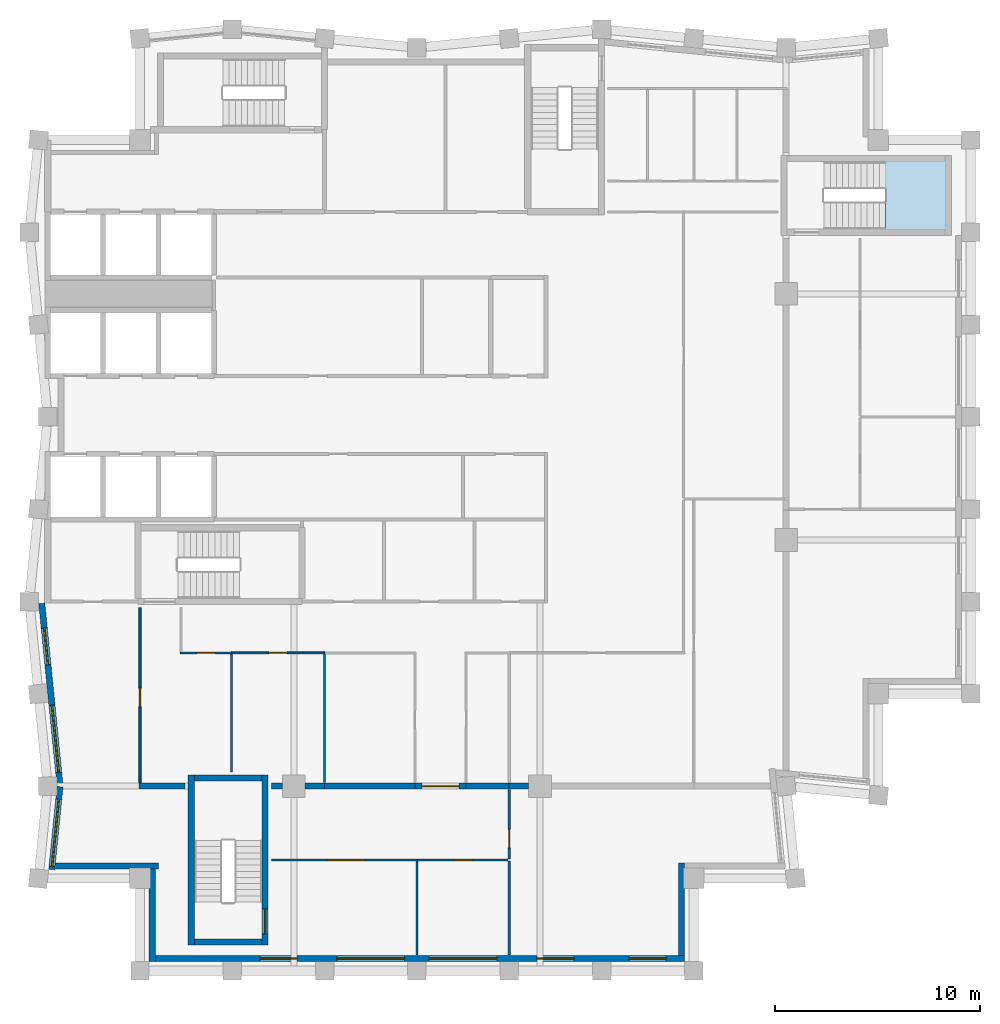
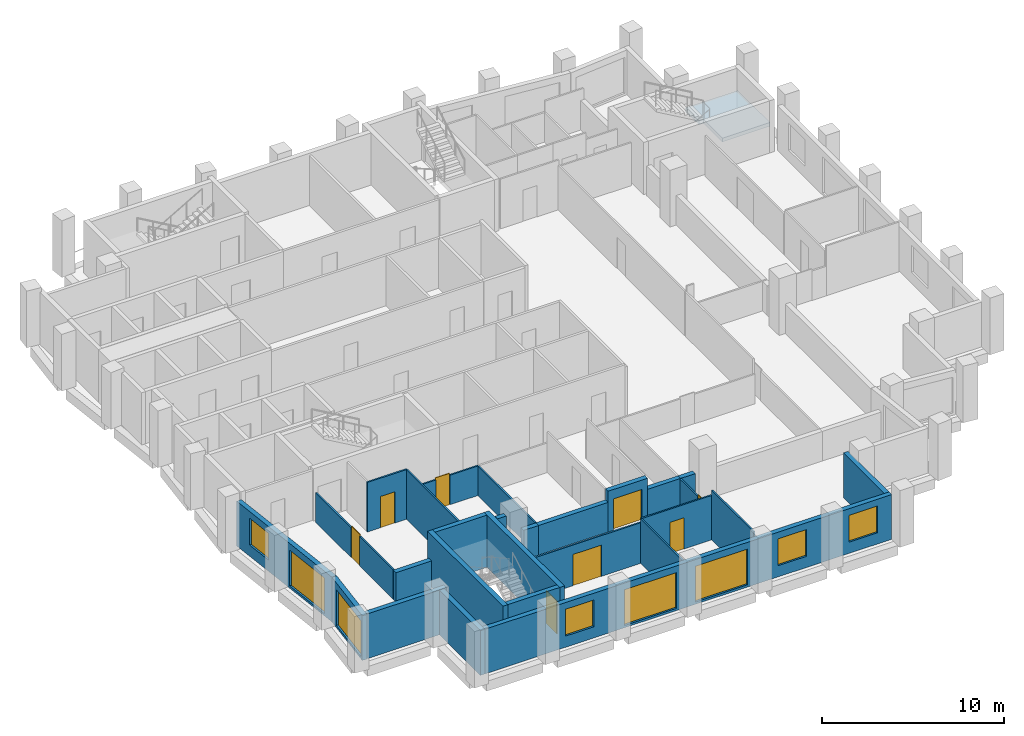
# One storey, part 2 of 7: 27 walls, 8 doors, 8 windows, 1 slab, 16 openings, 1 element without a shape of its own.
"""IFC4 building model written with IfcOpenShell, lengths in metres."""

import ifcopenshell
import ifcopenshell.guid

model = None  # the IFC model being written
_history = None  # IfcOwnerHistory: only IFC2X3 demands one
_inside = {}  # id of a spatial element -> (the spatial element, [elements in it])
_under = {}  # id of a project, library or spatial element -> (it, [spatial elements below it])
_declared = {}  # id of a project -> (the project, [libraries it declares])
_typed = {}  # id of a type object -> (the type object, [elements of that type])
_made_of = {}  # id of a material, layer set ... -> (it, [elements and type objects made of it])


def new_model(schema):
    """Start an empty IFC model of exactly this schema.

    Asked for "IFC4X3", IfcOpenShell would pick the latest addendum, in which some entities
    have other attributes; the version numbers below select the first issue.
    IFC2X3 requires an IfcOwnerHistory on every rooted entity: one is made here for all.
    """
    global model, _history
    if schema == "IFC4X3":
        model = ifcopenshell.file(schema_version=(4, 3, 0, 0))
    else:
        model = ifcopenshell.file(schema=schema)
    _inside.clear()
    _under.clear()
    _declared.clear()
    _typed.clear()
    _made_of.clear()
    _history = None
    if model.schema == "IFC2X3":
        org = make("IfcOrganization", Name="unknown")
        user = make(
            "IfcPersonAndOrganization",
            ThePerson=make("IfcPerson", FamilyName="unknown"),
            TheOrganization=org,
        )
        app = make(
            "IfcApplication",
            ApplicationDeveloper=org,
            Version="unknown",
            ApplicationFullName="unknown",
            ApplicationIdentifier="unknown",
        )
        _history = make(
            "IfcOwnerHistory",
            OwningUser=user,
            OwningApplication=app,
            ChangeAction="ADDED",
            CreationDate=0,
        )
    return model


def make(cls, **values):
    """One entity of the class cls with the attributes given. An attribute that is None is left unset."""
    return model.create_entity(
        cls, **{name: value for name, value in values.items() if value is not None}
    )


def rooted(cls, **values):
    """An entity with a GlobalId (a new one), such as an element, a storey or a relation."""
    return make(cls, GlobalId=ifcopenshell.guid.new(), OwnerHistory=_history, **values)


def si_unit(unit_type, name, prefix=None):
    """IfcSIUnit, for example si_unit("LENGTHUNIT", "METRE", prefix="MILLI")."""
    return make("IfcSIUnit", UnitType=unit_type, Prefix=prefix, Name=name)


def assignment(units):
    """IfcUnitAssignment: the units of a project."""
    return None if units is None else make("IfcUnitAssignment", Units=units)


def point(xyz):
    """IfcCartesianPoint."""
    return None if xyz is None else make("IfcCartesianPoint", Coordinates=xyz)


def direction(xyz):
    """IfcDirection."""
    return None if xyz is None else make("IfcDirection", DirectionRatios=xyz)


def frame(location, z_axis=None, x_axis=None):
    """IfcAxis2Placement3D, a coordinate frame: its origin and axes. An axis left out is left unset."""
    return make(
        "IfcAxis2Placement3D",
        Location=point(location),
        Axis=direction(z_axis),
        RefDirection=direction(x_axis),
    )


def frame_2d(location, x_axis=None):
    """IfcAxis2Placement2D, a coordinate frame in the plane: its origin and x axis."""
    return make(
        "IfcAxis2Placement2D", Location=point(location), RefDirection=direction(x_axis)
    )


def origin():
    """The frame at (0, 0, 0) with its axes left unset."""
    return frame((0.0, 0.0, 0.0))


def place(relative_to, where):
    """IfcLocalPlacement: puts the frame where relative to a parent placement (None: the world)."""
    return make(
        "IfcLocalPlacement", PlacementRelTo=relative_to, RelativePlacement=where
    )


def context(
    kind, dimensions, precision=None, world=None, true_north=None, identifier=None
):
    """IfcGeometricRepresentationContext, for example the 3D "Model" context."""
    return make(
        "IfcGeometricRepresentationContext",
        ContextIdentifier=identifier,
        ContextType=kind,
        CoordinateSpaceDimension=dimensions,
        Precision=precision,
        WorldCoordinateSystem=world,
        TrueNorth=true_north,
    )


def subcontext(parent, identifier, kind, view, scale=None):
    """IfcGeometricRepresentationSubContext, for example "Body" below "Model"."""
    return make(
        "IfcGeometricRepresentationSubContext",
        ContextIdentifier=identifier,
        ContextType=kind,
        ParentContext=parent,
        TargetScale=scale,
        TargetView=view,
    )


def project(units=None, contexts=None):
    """IfcProject with its units and contexts."""
    return rooted(
        "IfcProject",
        Name="project",
        RepresentationContexts=contexts,
        UnitsInContext=assignment(units),
    )


def spatial(cls, under=None, at=None, **own):
    """A site, building, storey or space (cls), placed at a placement, below another one or the project."""
    s = rooted(cls, ObjectPlacement=at, **own)
    if under is not None:
        _under.setdefault(under.id(), (under, []))[1].append(s)
    return s


def polyline(points):
    """IfcPolyline through the points."""
    return make("IfcPolyline", Points=[point(p) for p in points])


def profile(cls, at=None, kind="AREA", **sizes):
    """A parametric profile (cls). Its sizes go by their IFC names, for example OverallWidth=200.0."""
    return make(cls, ProfileType=kind, Position=at, **sizes)


def rectangle(**sizes):
    """IfcRectangleProfileDef."""
    return profile("IfcRectangleProfileDef", **sizes)


def outline(outer, holes=None, kind="AREA"):
    """IfcArbitraryClosedProfileDef: a profile drawn as a closed curve; with holes, ...WithVoids."""
    if holes is None:
        return make("IfcArbitraryClosedProfileDef", ProfileType=kind, OuterCurve=outer)
    return make(
        "IfcArbitraryProfileDefWithVoids",
        ProfileType=kind,
        OuterCurve=outer,
        InnerCurves=holes,
    )


def extrude(swept, where, along, depth):
    """IfcExtrudedAreaSolid: the profile swept, set in the frame where, extruded along a direction by depth."""
    return make(
        "IfcExtrudedAreaSolid",
        SweptArea=swept,
        Position=where,
        ExtrudedDirection=direction(along),
        Depth=depth,
    )


def shape(context_of_items, identifier, shape_type, items):
    """IfcShapeRepresentation: the items that make up one representation, for example the "Body"."""
    return make(
        "IfcShapeRepresentation",
        ContextOfItems=context_of_items,
        RepresentationIdentifier=identifier,
        RepresentationType=shape_type,
        Items=items,
    )


def material(Name=None, Category=None):
    """IfcMaterial."""
    return make("IfcMaterial", Name=Name, Category=Category)


def layer(
    of_material, thickness, ventilated=None, Name=None, Category=None, Priority=None
):
    """IfcMaterialLayer: one layer of a wall or slab, of a material (None: an air gap)."""
    return make(
        "IfcMaterialLayer",
        Material=of_material,
        LayerThickness=thickness,
        IsVentilated=ventilated,
        Name=Name,
        Category=Category,
        Priority=Priority,
    )


def layer_set(layers, Name=None):
    """IfcMaterialLayerSet."""
    return make("IfcMaterialLayerSet", MaterialLayers=layers, LayerSetName=Name)


def made_of(thing, what):
    """Note that an element or type object is made of a material, layer set ...; save() writes the relation."""
    if what is not None:
        _made_of.setdefault(what.id(), (what, []))[1].append(thing)
    return thing


def type_object(cls, material=None, **own):
    """A type object (cls), such as IfcWallType, which elements share."""
    return made_of(rooted(cls, **own), material)


def element(
    cls,
    number,
    at=None,
    inside=None,
    cuts=None,
    type_object=None,
    material=None,
    context=None,
    identifier="Body",
    shape_type=None,
    held_by="IfcProductDefinitionShape",
    body=None,
    shapes=None,
    **own,
):
    """One element of the class cls, such as IfcWall. Its Tag is "e" and its number.

    at: its placement. inside: the storey or other place that contains it. cuts: it is an
    opening in that element (IfcRelVoidsElement). A single representation is given by context,
    identifier, shape_type and body (its items); several are given by shapes. held_by: the class
    of the entity that holds the representations. save() writes the other relations.
    """
    e = rooted(cls, Tag="e%d" % number, ObjectPlacement=at, **own)
    if body is not None:
        shapes = [shape(context, identifier, shape_type, body)]
    if shapes is not None:
        e.Representation = make(held_by, Representations=shapes)
    if inside is not None:
        _inside.setdefault(inside.id(), (inside, []))[1].append(e)
    if cuts is not None:
        rooted(
            "IfcRelVoidsElement", RelatingBuildingElement=cuts, RelatedOpeningElement=e
        )
    if type_object is not None:
        _typed.setdefault(type_object.id(), (type_object, []))[1].append(e)
    return made_of(e, material)


def fill(opening, filler):
    """IfcRelFillsElement: the door or window that sits in an opening."""
    return rooted(
        "IfcRelFillsElement",
        RelatingOpeningElement=opening,
        RelatedBuildingElement=filler,
    )


def aggregate(whole, parts):
    """IfcRelAggregates: a whole, such as a stair, and the parts it consists of."""
    return rooted("IfcRelAggregates", RelatingObject=whole, RelatedObjects=parts)


def save(model, path):
    """Write the relations noted so far, then the file.

    IfcRelAggregates (storeys below a building ...), IfcRelContainedInSpatialStructure (elements
    in a storey), IfcRelDefinesByType, IfcRelAssociatesMaterial and IfcRelDeclares: one each for
    every whole, place, type object, material and project.
    """
    for whole, parts in _under.values():
        aggregate(whole, parts)
    for where, things in _inside.values():
        rooted(
            "IfcRelContainedInSpatialStructure",
            RelatedElements=things,
            RelatingStructure=where,
        )
    for kind, things in _typed.values():
        rooted("IfcRelDefinesByType", RelatedObjects=things, RelatingType=kind)
    for what, things in _made_of.values():
        rooted("IfcRelAssociatesMaterial", RelatedObjects=things, RelatingMaterial=what)
    for by, libraries in _declared.values():
        rooted("IfcRelDeclares", RelatingContext=by, RelatedDefinitions=libraries)
    model.write(path)


model = new_model("IFC4")

# Units and contexts
model_context = context("Model", 3, precision=1e-05, world=origin(), true_north=direction((0.0, 1.0)))
body_context = subcontext(model_context, "Body", "Model", "MODEL_VIEW")
ifc_project = project(units=[si_unit("LENGTHUNIT", "METRE"), si_unit("AREAUNIT", "SQUARE_METRE"), si_unit("VOLUMEUNIT", "CUBIC_METRE"), si_unit("PLANEANGLEUNIT", "RADIAN"), si_unit("MASSUNIT", "GRAM", prefix="KILO")], contexts=[model_context])

# Site, building, storey
site_placement = place(None, origin())
site = spatial("IfcSite", under=ifc_project, at=site_placement, CompositionType="ELEMENT")
building_placement = place(site_placement, origin())
building = spatial("IfcBuilding", under=site, at=building_placement, Name="Brondeck Convention Tower", CompositionType="ELEMENT")
storey_placement = place(building_placement, frame((0.0, 0.0, 275.199951171875)))
storey = spatial("IfcBuildingStorey", under=building, at=storey_placement, Name="L68", CompositionType="ELEMENT", Elevation=275.199951171875)

# Stair, slab
ifc_material_1 = material(Name="Precast concrete C50/60", Category="concrete")
stair_type = type_object("IfcStairType", Name="Core stair 22 risers 172.73 mm riser 300 mm going 1350 wide", PredefinedType="HALF_TURN_STAIR", material=ifc_material_1)
stair_placement = place(storey_placement, origin())
stair = element("IfcStair", 1, at=stair_placement, inside=storey, type_object=stair_type, Name="ST-AE L68 stair", PredefinedType="HALF_TURN_STAIR")
ifc_layer_1 = layer(ifc_material_1, 0.25)
ifc_layer_set_1 = layer_set([ifc_layer_1], Name="Core stair landing 250 Precast concrete C50/60")
slab_type = type_object("IfcSlabType", Name="Core stair landing 250 Precast concrete C50/60", PredefinedType="LANDING", material=ifc_layer_set_1)
slab_placement = place(storey_placement, frame((0.0, 0.0, 1.650146484375)))
slab = element("IfcSlab", 2, at=slab_placement, type_object=slab_type, Name="ST-AE landing 1", PredefinedType="LANDING", context=body_context, shape_type="SweptSolid", body=[
    extrude(outline(polyline([(40.847900390625, 55.5), (40.85009765625, 55.5), (40.85009765625, 56.10009765625), (40.550048828125, 56.10009765625), (40.550048828125, 57.570068359375), (43.8701171875, 57.570068359375), (43.8701171875, 54.030029296875), (40.847900390625, 54.030029296875), (40.847900390625, 55.5)])), origin(), (0.0, 0.0, 1.0), 0.25),
])
aggregate(stair, [slab])

# Walls
ifc_material_2 = material(Name="Concrete compartment wall C30/37", Category="concrete")
ifc_layer_2 = layer(ifc_material_2, 0.300048828125)
ifc_layer_set_2 = layer_set([ifc_layer_2], Name="Compartment wall 300")
wall_type_1 = type_object("IfcWallType", Name="Compartment wall 300", PredefinedType="PARTITIONING", material=ifc_layer_set_2)
wall_1_placement = place(storey_placement, frame((6.699951171875, 27.0, 0.0), z_axis=(0.0, 0.0, 1.0), x_axis=(-1.0, 0.0, 0.0)))
element("IfcWall", 3, at=wall_1_placement, inside=storey, type_object=wall_type_1, Name="FLR-L68-W011", PredefinedType="PARTITIONING", context=body_context, shape_type="SweptSolid", body=[
    extrude(rectangle(XDim=2.25, YDim=0.300048828125, at=frame_2d((1.125, 0.0))), origin(), (0.0, 0.0, 1.0), 1.97998046875),
])
wall_2_placement = place(storey_placement, frame((10.89990234375, 27.0, 0.0), z_axis=(0.0, 0.0, 1.0), x_axis=(1.0, 0.0, 0.0)))
element("IfcWall", 4, at=wall_2_placement, inside=storey, type_object=wall_type_1, Name="FLR-L68-W012", PredefinedType="PARTITIONING", context=body_context, shape_type="SweptSolid", body=[
    extrude(rectangle(XDim=0.545166015625, YDim=0.300048828125, at=frame_2d((0.2724609375, 0.0))), origin(), (0.0, 0.0, 1.0), 3.330078125),
])
wall_3_placement = place(storey_placement, frame((12.554931640625, 27.0, 0.0), z_axis=(0.0, 0.0, 1.0), x_axis=(1.0, 0.0, 0.0)))
element("IfcWall", 5, at=wall_3_placement, inside=storey, type_object=wall_type_1, Name="FLR-L68-W013", PredefinedType="PARTITIONING", context=body_context, shape_type="SweptSolid", body=[
    extrude(rectangle(XDim=0.945068359375, YDim=0.300048828125, at=frame_2d((0.47265625, 0.0))), origin(), (0.0, 0.0, 1.0), 1.97998046875),
])
wall_4_placement = place(storey_placement, frame((13.5, 27.0, 0.0), z_axis=(0.0, 0.0, 1.0), x_axis=(1.0, 0.0, 0.0)))
element("IfcWall", 6, at=wall_4_placement, inside=storey, type_object=wall_type_1, Name="FLR-L68-W014", PredefinedType="PARTITIONING", context=body_context, shape_type="SweptSolid", body=[
    extrude(rectangle(XDim=4.39990234375, YDim=0.300048828125, at=frame_2d((2.199951171875, 0.0))), origin(), (0.0, 0.0, 1.0), 1.97998046875),
])

# Wall, opening, door
wall_5_placement = place(storey_placement, frame((20.39990234375, 27.0, 0.0), z_axis=(0.0, 0.0, 1.0), x_axis=(-1.0, 0.0, 0.0)))
wall_5 = element("IfcWall", 7, at=wall_5_placement, inside=storey, type_object=wall_type_1, Name="FLR-L68-W015", PredefinedType="PARTITIONING", context=body_context, shape_type="SweptSolid", body=[
    extrude(rectangle(XDim=2.5, YDim=0.300048828125, at=frame_2d((1.25, 0.0))), origin(), (0.0, 0.0, 1.0), 2.72998046875),
])
opening_1_placement = place(wall_5_placement, frame((0.35009765625, 0.0, 0.0)))
opening_1 = element("IfcOpeningElement", 8, at=opening_1_placement, cuts=wall_5, Name="Opening EX-D-020", PredefinedType="OPENING", context=body_context, shape_type="SweptSolid", body=[
    extrude(rectangle(XDim=1.800048828125, YDim=2.10009765625, at=frame_2d((0.89990234375, 1.050048828125))), frame((0.0, 0.159912109375, 0.0), z_axis=(0.0, -1.0, 0.0), x_axis=(1.0, 0.0, 0.0)), (0.0, 0.0, 1.0), 0.320068359375),
])
ifc_material_3 = material(Name="Steel fire door pair", Category="steel")
door_type_1 = type_object("IfcDoorType", Name="Fire door pair 1800", OperationType="DOUBLE_DOOR_SINGLE_SWING", PredefinedType="DOOR", material=ifc_material_3)
door_1_placement = place(opening_1_placement, origin())
door_1 = element("IfcDoor", 9, at=door_1_placement, inside=storey, type_object=door_type_1, Name="Door EX-D-020", OperationType="DOUBLE_DOOR_SINGLE_SWING", OverallHeight=2.10009765625, OverallWidth=1.800048828125, PredefinedType="DOOR", context=body_context, shape_type="SweptSolid", body=[
    extrude(rectangle(XDim=1.800048828125, YDim=2.10009765625, at=frame_2d((0.89990234375, 1.050048828125))), frame((0.0, 0.02490234375, 0.0), z_axis=(0.0, -1.0, 0.0), x_axis=(1.0, 0.0, 0.0)), (0.0, 0.0, 1.0), 0.050048828125),
])
fill(opening_1, door_1)

# Walls
wall_6_placement = place(storey_placement, frame((20.39990234375, 27.0, 0.0), z_axis=(0.0, 0.0, 1.0), x_axis=(1.0, 0.0, 0.0)))
element("IfcWall", 10, at=wall_6_placement, inside=storey, type_object=wall_type_1, Name="FLR-L68-W016", PredefinedType="PARTITIONING", context=body_context, shape_type="SweptSolid", body=[
    extrude(rectangle(XDim=2.10009765625, YDim=0.300048828125, at=frame_2d((1.050048828125, 0.0))), origin(), (0.0, 0.0, 1.0), 1.97998046875),
])
wall_7_placement = place(storey_placement, frame((22.5, 27.0, 0.0), z_axis=(0.0, 0.0, 1.0), x_axis=(1.0, 0.0, 0.0)))
element("IfcWall", 11, at=wall_7_placement, inside=storey, type_object=wall_type_1, Name="FLR-L68-W017", PredefinedType="PARTITIONING", context=body_context, shape_type="SweptSolid", body=[
    extrude(rectangle(XDim=0.945068359375, YDim=0.300048828125, at=frame_2d((0.47265625, 0.0))), origin(), (0.0, 0.0, 1.0), 1.97998046875),
])

# Wall, openings, windows
ifc_material_4 = material(Name="Precast concrete C50/60 bronze finish", Category="concrete")
ifc_layer_3 = layer(ifc_material_4, 0.070068359375, Name="Bronze precast facing")
ifc_material_5 = material(Name="Mineral wool")
ifc_layer_4 = layer(ifc_material_5, 0.159912109375, Name="Insulation")
ifc_material_6 = material(Name="Concrete C35/45", Category="concrete")
ifc_layer_5 = layer(ifc_material_6, 0.070068359375, Name="Backing")
ifc_layer_set_3 = layer_set([ifc_layer_3, ifc_layer_4, ifc_layer_5], Name="External infill wall, precast concrete C50/60 bronze facing")
wall_type_2 = type_object("IfcWallType", Name="External infill wall, precast concrete C50/60 bronze facing", PredefinedType="SOLIDWALL", material=ifc_layer_set_3)
wall_8_placement = place(storey_placement, frame((31.050048828125, 18.60009765625, 0.0), z_axis=(0.0, 0.0, 1.0), x_axis=(-1.0, 0.0, 0.0)))
wall_8 = element("IfcWall", 12, at=wall_8_placement, inside=storey, type_object=wall_type_2, Name="ENV-EW-L68-P3-B-S18-01", PredefinedType="SOLIDWALL", context=body_context, shape_type="SweptSolid", body=[
    extrude(rectangle(XDim=25.800048828125, YDim=0.300048828125, at=frame_2d((12.89990234375, 0.0))), origin(), (0.0, 0.0, 1.0), 3.0),
])
opening_2_placement = place(wall_8_placement, frame((0.89990234375, 0.0, 0.75)))
opening_2 = element("IfcOpeningElement", 13, at=opening_2_placement, cuts=wall_8, Name="Opening W10", PredefinedType="OPENING", context=body_context, shape_type="SweptSolid", body=[
    extrude(rectangle(XDim=1.800048828125, YDim=1.800048828125, at=frame_2d((0.89990234375, 0.89990234375))), frame((0.0, 0.159912109375, 0.0), z_axis=(0.0, -1.0, 0.0), x_axis=(1.0, 0.0, 0.0)), (0.0, 0.0, 1.0), 0.320068359375),
])
opening_3_placement = place(wall_8_placement, frame((5.39990234375, 0.0, 0.75)))
opening_3 = element("IfcOpeningElement", 14, at=opening_3_placement, cuts=wall_8, Name="Opening W10", PredefinedType="OPENING", context=body_context, shape_type="SweptSolid", body=[
    extrude(rectangle(XDim=1.800048828125, YDim=1.800048828125, at=frame_2d((0.89990234375, 0.89990234375))), frame((0.0, 0.159912109375, 0.0), z_axis=(0.0, -1.0, 0.0), x_axis=(1.0, 0.0, 0.0)), (0.0, 0.0, 1.0), 0.320068359375),
])
opening_4_placement = place(wall_8_placement, frame((9.14990234375, 0.0, 0.14990234375)))
opening_4 = element("IfcOpeningElement", 15, at=opening_4_placement, cuts=wall_8, Name="Opening W9", PredefinedType="OPENING", context=body_context, shape_type="SweptSolid", body=[
    extrude(rectangle(XDim=3.300048828125, YDim=2.39990234375, at=frame_2d((1.64990234375, 1.199951171875))), frame((0.0, 0.159912109375, 0.0), z_axis=(0.0, -1.0, 0.0), x_axis=(1.0, 0.0, 0.0)), (0.0, 0.0, 1.0), 0.320068359375),
])
opening_5_placement = place(wall_8_placement, frame((13.64990234375, 0.0, 0.14990234375)))
opening_5 = element("IfcOpeningElement", 16, at=opening_5_placement, cuts=wall_8, Name="Opening W9", PredefinedType="OPENING", context=body_context, shape_type="SweptSolid", body=[
    extrude(rectangle(XDim=3.300048828125, YDim=2.39990234375, at=frame_2d((1.64990234375, 1.199951171875))), frame((0.0, 0.159912109375, 0.0), z_axis=(0.0, -1.0, 0.0), x_axis=(1.0, 0.0, 0.0)), (0.0, 0.0, 1.0), 0.320068359375),
])
opening_6_placement = place(wall_8_placement, frame((18.89990234375, 0.0, 0.75)))
opening_6 = element("IfcOpeningElement", 17, at=opening_6_placement, cuts=wall_8, Name="Opening W10", PredefinedType="OPENING", context=body_context, shape_type="SweptSolid", body=[
    extrude(rectangle(XDim=1.800048828125, YDim=1.800048828125, at=frame_2d((0.89990234375, 0.89990234375))), frame((0.0, 0.159912109375, 0.0), z_axis=(0.0, -1.0, 0.0), x_axis=(1.0, 0.0, 0.0)), (0.0, 0.0, 1.0), 0.320068359375),
])
ifc_material_7 = material(Name="Bronze tinted double glazing", Category="glass")
window_type_1 = type_object("IfcWindowType", Name="Glazed flute window, bronze tinted", PartitioningType="SINGLE_PANEL", PredefinedType="WINDOW", material=ifc_material_7)
window_1_placement = place(opening_4_placement, origin())
window_1 = element("IfcWindow", 18, at=window_1_placement, inside=storey, type_object=window_type_1, Name="ENV-WN-L68-P3-B-S18-04", OverallHeight=2.39990234375, OverallWidth=3.300048828125, PartitioningType="SINGLE_PANEL", PredefinedType="WINDOW", context=body_context, shape_type="SweptSolid", body=[
    extrude(rectangle(XDim=3.300048828125, YDim=2.39990234375, at=frame_2d((1.64990234375, 1.199951171875))), frame((0.0, 0.030029296875, 0.0), z_axis=(0.0, -1.0, 0.0), x_axis=(1.0, 0.0, 0.0)), (0.0, 0.0, 1.0), 0.06005859375),
])
fill(opening_4, window_1)
window_2_placement = place(opening_5_placement, origin())
window_2 = element("IfcWindow", 19, at=window_2_placement, inside=storey, type_object=window_type_1, Name="ENV-WN-L68-P3-B-S18-03", OverallHeight=2.39990234375, OverallWidth=3.300048828125, PartitioningType="SINGLE_PANEL", PredefinedType="WINDOW", context=body_context, shape_type="SweptSolid", body=[
    extrude(rectangle(XDim=3.300048828125, YDim=2.39990234375, at=frame_2d((1.64990234375, 1.199951171875))), frame((0.0, 0.030029296875, 0.0), z_axis=(0.0, -1.0, 0.0), x_axis=(1.0, 0.0, 0.0)), (0.0, 0.0, 1.0), 0.06005859375),
])
fill(opening_5, window_2)
window_type_2 = type_object("IfcWindowType", Name="Punched window, bronze tinted", PartitioningType="SINGLE_PANEL", PredefinedType="WINDOW", material=ifc_material_7)
window_3_placement = place(opening_2_placement, origin())
window_3 = element("IfcWindow", 20, at=window_3_placement, inside=storey, type_object=window_type_2, Name="ENV-WN-L68-P3-B-S18-06", OverallHeight=1.800048828125, OverallWidth=1.800048828125, PartitioningType="SINGLE_PANEL", PredefinedType="WINDOW", context=body_context, shape_type="SweptSolid", body=[
    extrude(rectangle(XDim=1.800048828125, YDim=1.800048828125, at=frame_2d((0.89990234375, 0.89990234375))), frame((0.0, 0.030029296875, 0.0), z_axis=(0.0, -1.0, 0.0), x_axis=(1.0, 0.0, 0.0)), (0.0, 0.0, 1.0), 0.06005859375),
])
fill(opening_2, window_3)
window_4_placement = place(opening_3_placement, origin())
window_4 = element("IfcWindow", 21, at=window_4_placement, inside=storey, type_object=window_type_2, Name="ENV-WN-L68-P3-B-S18-05", OverallHeight=1.800048828125, OverallWidth=1.800048828125, PartitioningType="SINGLE_PANEL", PredefinedType="WINDOW", context=body_context, shape_type="SweptSolid", body=[
    extrude(rectangle(XDim=1.800048828125, YDim=1.800048828125, at=frame_2d((0.89990234375, 0.89990234375))), frame((0.0, 0.030029296875, 0.0), z_axis=(0.0, -1.0, 0.0), x_axis=(1.0, 0.0, 0.0)), (0.0, 0.0, 1.0), 0.06005859375),
])
fill(opening_3, window_4)
window_5_placement = place(opening_6_placement, origin())
window_5 = element("IfcWindow", 22, at=window_5_placement, inside=storey, type_object=window_type_2, Name="ENV-WN-L68-P3-B-S18-02", OverallHeight=1.800048828125, OverallWidth=1.800048828125, PartitioningType="SINGLE_PANEL", PredefinedType="WINDOW", context=body_context, shape_type="SweptSolid", body=[
    extrude(rectangle(XDim=1.800048828125, YDim=1.800048828125, at=frame_2d((0.89990234375, 0.89990234375))), frame((0.0, 0.030029296875, 0.0), z_axis=(0.0, -1.0, 0.0), x_axis=(1.0, 0.0, 0.0)), (0.0, 0.0, 1.0), 0.06005859375),
])
fill(opening_6, window_5)

# Wall
wall_9_placement = place(storey_placement, frame((30.89990234375, 23.25, 0.0), z_axis=(0.0, 0.0, 1.0), x_axis=(0.0, -1.0, 0.0)))
element("IfcWall", 23, at=wall_9_placement, inside=storey, type_object=wall_type_2, Name="ENV-EW-L68-P3-NC-SEB18-01", PredefinedType="SOLIDWALL", context=body_context, shape_type="SweptSolid", body=[
    extrude(rectangle(XDim=4.5, YDim=0.300048828125, at=frame_2d((2.25, 0.0))), origin(), (0.0, 0.0, 1.0), 3.0),
])

# Wall, openings, windows
wall_10_placement = place(storey_placement, frame((0.6044921875, 26.985107421875, 0.0), z_axis=(0.0, 0.0, 1.0), x_axis=(-0.099509108728, 0.995036651225, 0.0)))
wall_10 = element("IfcWall", 24, at=wall_10_placement, inside=storey, type_object=wall_type_2, Name="ENV-EW-L68-P3-B-W-06", PredefinedType="SOLIDWALL", context=body_context, shape_type="SweptSolid", body=[
    extrude(rectangle(XDim=8.9697265625, YDim=0.300048828125, at=frame_2d((4.48486328125, 0.0))), origin(), (0.0, 0.0, 1.0), 3.0),
])
opening_7_placement = place(wall_10_placement, frame((0.686279296875, 0.0, 0.14990234375)))
opening_7 = element("IfcOpeningElement", 25, at=opening_7_placement, cuts=wall_10, Name="Opening W9", PredefinedType="OPENING", context=body_context, shape_type="SweptSolid", body=[
    extrude(rectangle(XDim=3.300048828125, YDim=2.39990234375, at=frame_2d((1.64990234375, 1.199951171875))), frame((0.0, 0.159912109375, 0.0), z_axis=(0.0, -1.0, 0.0), x_axis=(1.0, 0.0, 0.0)), (0.0, 0.0, 1.0), 0.320068359375),
])
opening_8_placement = place(wall_10_placement, frame((5.95849609375, 0.0, 0.75)))
opening_8 = element("IfcOpeningElement", 26, at=opening_8_placement, cuts=wall_10, Name="Opening W10", PredefinedType="OPENING", context=body_context, shape_type="SweptSolid", body=[
    extrude(rectangle(XDim=1.800048828125, YDim=1.800048828125, at=frame_2d((0.89990234375, 0.89990234375))), frame((0.0, 0.159912109375, 0.0), z_axis=(0.0, -1.0, 0.0), x_axis=(1.0, 0.0, 0.0)), (0.0, 0.0, 1.0), 0.320068359375),
])
window_6_placement = place(opening_7_placement, origin())
window_6 = element("IfcWindow", 27, at=window_6_placement, inside=storey, type_object=window_type_1, Name="ENV-WN-L68-P3-B-W-07", OverallHeight=2.39990234375, OverallWidth=3.300048828125, PartitioningType="SINGLE_PANEL", PredefinedType="WINDOW", context=body_context, shape_type="SweptSolid", body=[
    extrude(rectangle(XDim=3.300048828125, YDim=2.39990234375, at=frame_2d((1.64990234375, 1.199951171875))), frame((0.0, 0.030029296875, 0.0), z_axis=(0.0, -1.0, 0.0), x_axis=(1.0, 0.0, 0.0)), (0.0, 0.0, 1.0), 0.06005859375),
])
fill(opening_7, window_6)
window_7_placement = place(opening_8_placement, origin())
window_7 = element("IfcWindow", 28, at=window_7_placement, inside=storey, type_object=window_type_2, Name="ENV-WN-L68-P3-B-W-06", OverallHeight=1.800048828125, OverallWidth=1.800048828125, PartitioningType="SINGLE_PANEL", PredefinedType="WINDOW", context=body_context, shape_type="SweptSolid", body=[
    extrude(rectangle(XDim=1.800048828125, YDim=1.800048828125, at=frame_2d((0.89990234375, 0.89990234375))), frame((0.0, 0.030029296875, 0.0), z_axis=(0.0, -1.0, 0.0), x_axis=(1.0, 0.0, 0.0)), (0.0, 0.0, 1.0), 0.06005859375),
])
fill(opening_8, window_7)

# Wall, opening, window
wall_11_placement = place(storey_placement, frame((0.196533203125, 22.93505859375, 0.0), z_axis=(0.0, 0.0, 1.0), x_axis=(0.09951564041, 0.995035997999, 0.0)))
wall_11 = element("IfcWall", 29, at=wall_11_placement, inside=storey, type_object=wall_type_2, Name="ENV-EW-L68-P3-B-W-08", PredefinedType="SOLIDWALL", context=body_context, shape_type="SweptSolid", body=[
    extrude(rectangle(XDim=4.05517578125, YDim=0.300048828125, at=frame_2d((2.027587890625, 0.0))), origin(), (0.0, 0.0, 1.0), 3.0),
])
opening_9_placement = place(wall_11_placement, frame((0.14990234375, 0.0, 0.14990234375)))
opening_9 = element("IfcOpeningElement", 30, at=opening_9_placement, cuts=wall_11, Name="Opening W9", PredefinedType="OPENING", context=body_context, shape_type="SweptSolid", body=[
    extrude(rectangle(XDim=3.300048828125, YDim=2.39990234375, at=frame_2d((1.64990234375, 1.199951171875))), frame((0.0, 0.159912109375, 0.0), z_axis=(0.0, -1.0, 0.0), x_axis=(1.0, 0.0, 0.0)), (0.0, 0.0, 1.0), 0.320068359375),
])
window_8_placement = place(opening_9_placement, origin())
window_8 = element("IfcWindow", 31, at=window_8_placement, inside=storey, type_object=window_type_1, Name="ENV-WN-L68-P3-B-W-08", OverallHeight=2.39990234375, OverallWidth=3.300048828125, PartitioningType="SINGLE_PANEL", PredefinedType="WINDOW", context=body_context, shape_type="SweptSolid", body=[
    extrude(rectangle(XDim=3.300048828125, YDim=2.39990234375, at=frame_2d((1.64990234375, 1.199951171875))), frame((0.0, 0.030029296875, 0.0), z_axis=(0.0, -1.0, 0.0), x_axis=(1.0, 0.0, 0.0)), (0.0, 0.0, 1.0), 0.06005859375),
])
fill(opening_9, window_8)

# Walls
wall_12_placement = place(storey_placement, frame((5.39990234375, 23.10009765625, 0.0), z_axis=(0.0, 0.0, 1.0), x_axis=(-1.0, 0.0, 0.0)))
element("IfcWall", 32, at=wall_12_placement, inside=storey, type_object=wall_type_2, Name="ENV-EW-L68-P3-NC-SWB18-01", PredefinedType="SOLIDWALL", context=body_context, shape_type="SweptSolid", body=[
    extrude(rectangle(XDim=5.031005859375, YDim=0.300048828125, at=frame_2d((2.515625, 0.0))), origin(), (0.0, 0.0, 1.0), 3.0),
])
wall_13_placement = place(storey_placement, frame((5.10009765625, 18.449951171875, 0.0), z_axis=(0.0, 0.0, 1.0), x_axis=(0.0, 1.0, 0.0)))
element("IfcWall", 33, at=wall_13_placement, inside=storey, type_object=wall_type_2, Name="ENV-EW-L68-P3-NC-SWB18-02", PredefinedType="SOLIDWALL", context=body_context, shape_type="SweptSolid", body=[
    extrude(rectangle(XDim=4.5, YDim=0.300048828125, at=frame_2d((2.25, 0.0))), origin(), (0.0, 0.0, 1.0), 3.0),
])
ifc_material_8 = material(Name="Gypsum board partition on steel studs", Category="steel")
ifc_layer_6 = layer(ifc_material_8, 0.10009765625)
ifc_layer_set_4 = layer_set([ifc_layer_6], Name="Room partition 100")
wall_type_3 = type_object("IfcWallType", Name="Room partition 100", PredefinedType="PARTITIONING", material=ifc_layer_set_4)
wall_14_placement = place(storey_placement, frame((18.0, 18.77001953125, 0.0), z_axis=(0.0, 0.0, 1.0), x_axis=(0.0, 1.0, 0.0)))
element("IfcWall", 34, at=wall_14_placement, inside=storey, type_object=wall_type_3, Name="FLR-L68-W001", PredefinedType="PARTITIONING", context=body_context, shape_type="SweptSolid", body=[
    extrude(rectangle(XDim=4.580078125, YDim=0.10009765625, at=frame_2d((2.2900390625, 0.0))), origin(), (0.0, 0.0, 1.0), 2.97998046875),
])
wall_15_placement = place(storey_placement, frame((22.5, 23.35009765625, 0.0), z_axis=(0.0, 0.0, 1.0), x_axis=(0.0, -1.0, 0.0)))
element("IfcWall", 35, at=wall_15_placement, inside=storey, type_object=wall_type_3, Name="FLR-L68-W004", PredefinedType="PARTITIONING", context=body_context, shape_type="SweptSolid", body=[
    extrude(rectangle(XDim=4.580078125, YDim=0.10009765625, at=frame_2d((2.2900390625, 0.0))), origin(), (0.0, 0.0, 1.0), 3.330078125),
])

# Wall, opening, door
wall_16_placement = place(storey_placement, frame((18.0, 23.39990234375, 0.0), z_axis=(0.0, 0.0, 1.0), x_axis=(-1.0, 0.0, 0.0)))
wall_16 = element("IfcWall", 36, at=wall_16_placement, inside=storey, type_object=wall_type_3, Name="FLR-L68-W006", PredefinedType="PARTITIONING", context=body_context, shape_type="SweptSolid", body=[
    extrude(rectangle(XDim=7.10009765625, YDim=0.10009765625, at=frame_2d((3.550048828125, 0.0))), origin(), (0.0, 0.0, 1.0), 2.72998046875),
])
opening_10_placement = place(wall_16_placement, frame((2.550048828125, 0.0, 0.0)))
opening_10 = element("IfcOpeningElement", 37, at=opening_10_placement, cuts=wall_16, Name="Opening EX-D-005", PredefinedType="OPENING", context=body_context, shape_type="SweptSolid", body=[
    extrude(rectangle(XDim=1.800048828125, YDim=2.10009765625, at=frame_2d((0.89990234375, 1.050048828125))), frame((0.0, 0.06005859375, 0.0), z_axis=(0.0, -1.0, 0.0), x_axis=(1.0, 0.0, 0.0)), (0.0, 0.0, 1.0), 0.1201171875),
])
ifc_material_9 = material(Name="Glazed timber double door", Category="wood")
door_type_2 = type_object("IfcDoorType", Name="Double door 1800", OperationType="DOUBLE_DOOR_SINGLE_SWING", PredefinedType="DOOR", material=ifc_material_9)
door_2_placement = place(opening_10_placement, origin())
door_2 = element("IfcDoor", 38, at=door_2_placement, inside=storey, type_object=door_type_2, Name="Door EX-D-005", OperationType="DOUBLE_DOOR_SINGLE_SWING", OverallHeight=2.10009765625, OverallWidth=1.800048828125, PredefinedType="DOOR", context=body_context, shape_type="SweptSolid", body=[
    extrude(rectangle(XDim=1.800048828125, YDim=2.10009765625, at=frame_2d((0.89990234375, 1.050048828125))), frame((0.0, 0.02490234375, 0.0), z_axis=(0.0, -1.0, 0.0), x_axis=(1.0, 0.0, 0.0)), (0.0, 0.0, 1.0), 0.050048828125),
])
fill(opening_10, door_2)

wall_17_placement = place(storey_placement, frame((22.449951171875, 23.39990234375, 0.0), z_axis=(0.0, 0.0, 1.0), x_axis=(-1.0, 0.0, 0.0)))
wall_17 = element("IfcWall", 39, at=wall_17_placement, inside=storey, type_object=wall_type_3, Name="FLR-L68-W007", PredefinedType="PARTITIONING", context=body_context, shape_type="SweptSolid", body=[
    extrude(rectangle(XDim=4.449951171875, YDim=0.10009765625, at=frame_2d((2.22509765625, 0.0))), origin(), (0.0, 0.0, 1.0), 2.97998046875),
])
opening_11_placement = place(wall_17_placement, frame((1.75, 0.0, 0.0)))
opening_11 = element("IfcOpeningElement", 40, at=opening_11_placement, cuts=wall_17, Name="Opening EX-D-004", PredefinedType="OPENING", context=body_context, shape_type="SweptSolid", body=[
    extrude(rectangle(XDim=0.89990234375, YDim=2.10009765625, at=frame_2d((0.449951171875, 1.050048828125))), frame((0.0, 0.06005859375, 0.0), z_axis=(0.0, -1.0, 0.0), x_axis=(1.0, 0.0, 0.0)), (0.0, 0.0, 1.0), 0.1201171875),
])
ifc_material_10 = material(Name="Solid timber door leaf", Category="wood")
door_type_3 = type_object("IfcDoorType", Name="Single door 900", OperationType="NOTDEFINED", PredefinedType="DOOR", material=ifc_material_10)
door_3_placement = place(opening_11_placement, origin())
door_3 = element("IfcDoor", 41, at=door_3_placement, inside=storey, type_object=door_type_3, Name="Door EX-D-004", OperationType="SINGLE_SWING_RIGHT", OverallHeight=2.10009765625, OverallWidth=0.89990234375, PredefinedType="DOOR", context=body_context, shape_type="SweptSolid", body=[
    extrude(rectangle(XDim=0.89990234375, YDim=2.10009765625, at=frame_2d((0.449951171875, 1.050048828125))), frame((0.0, 0.02490234375, 0.0), z_axis=(0.0, -1.0, 0.0), x_axis=(1.0, 0.0, 0.0)), (0.0, 0.0, 1.0), 0.050048828125),
])
fill(opening_11, door_3)

wall_18_placement = place(storey_placement, frame((22.5, 26.830078125, 0.0), z_axis=(0.0, 0.0, 1.0), x_axis=(0.0, -1.0, 0.0)))
wall_18 = element("IfcWall", 42, at=wall_18_placement, inside=storey, type_object=wall_type_3, Name="FLR-L68-W009", PredefinedType="PARTITIONING", context=body_context, shape_type="SweptSolid", body=[
    extrude(rectangle(XDim=3.380126953125, YDim=0.10009765625, at=frame_2d((1.68994140625, 0.0))), origin(), (0.0, 0.0, 1.0), 1.97998046875),
])
opening_12_placement = place(wall_18_placement, frame((1.9345703125, 0.0, 0.0)))
opening_12 = element("IfcOpeningElement", 43, at=opening_12_placement, cuts=wall_18, Name="Opening EX-D-006", PredefinedType="OPENING", context=body_context, shape_type="SweptSolid", body=[
    extrude(rectangle(XDim=0.89990234375, YDim=2.10009765625, at=frame_2d((0.449951171875, 1.050048828125))), frame((0.0, 0.06005859375, 0.0), z_axis=(0.0, -1.0, 0.0), x_axis=(1.0, 0.0, 0.0)), (0.0, 0.0, 1.0), 0.1201171875),
])
door_4_placement = place(opening_12_placement, origin())
door_4 = element("IfcDoor", 44, at=door_4_placement, inside=storey, type_object=door_type_3, Name="Door EX-D-006", OperationType="SINGLE_SWING_LEFT", OverallHeight=2.10009765625, OverallWidth=0.89990234375, PredefinedType="DOOR", context=body_context, shape_type="SweptSolid", body=[
    extrude(rectangle(XDim=0.89990234375, YDim=2.10009765625, at=frame_2d((0.449951171875, 1.050048828125))), frame((0.0, 0.02490234375, 0.0), z_axis=(0.0, -1.0, 0.0), x_axis=(1.0, 0.0, 0.0)), (0.0, 0.0, 1.0), 0.050048828125),
])
fill(opening_12, door_4)

wall_19_placement = place(storey_placement, frame((4.5, 27.169921875, 0.0), z_axis=(0.0, 0.0, 1.0), x_axis=(0.0, 1.0, 0.0)))
wall_19 = element("IfcWall", 45, at=wall_19_placement, inside=storey, type_object=wall_type_3, Name="FLR-L68-W020", PredefinedType="PARTITIONING", context=body_context, shape_type="SweptSolid", body=[
    extrude(rectangle(XDim=8.530029296875, YDim=0.10009765625, at=frame_2d((4.26513671875, 0.0))), origin(), (0.0, 0.0, 1.0), 1.97998046875),
])
opening_13_placement = place(wall_19_placement, frame((3.705078125, 0.0, 0.0)))
opening_13 = element("IfcOpeningElement", 46, at=opening_13_placement, cuts=wall_19, Name="Opening EX-D-018", PredefinedType="OPENING", context=body_context, shape_type="SweptSolid", body=[
    extrude(rectangle(XDim=0.89990234375, YDim=2.10009765625, at=frame_2d((0.449951171875, 1.050048828125))), frame((0.0, 0.06005859375, 0.0), z_axis=(0.0, -1.0, 0.0), x_axis=(1.0, 0.0, 0.0)), (0.0, 0.0, 1.0), 0.1201171875),
])
door_5_placement = place(opening_13_placement, origin())
door_5 = element("IfcDoor", 47, at=door_5_placement, inside=storey, type_object=door_type_3, Name="Door EX-D-018", OperationType="SINGLE_SWING_RIGHT", OverallHeight=2.10009765625, OverallWidth=0.89990234375, PredefinedType="DOOR", context=body_context, shape_type="SweptSolid", body=[
    extrude(rectangle(XDim=0.89990234375, YDim=2.10009765625, at=frame_2d((0.449951171875, 1.050048828125))), frame((0.0, 0.02490234375, 0.0), z_axis=(0.0, -1.0, 0.0), x_axis=(1.0, 0.0, 0.0)), (0.0, 0.0, 1.0), 0.050048828125),
])
fill(opening_13, door_5)

# Walls
wall_20_placement = place(storey_placement, frame((8.9599609375, 33.449951171875, 0.0), z_axis=(0.0, 0.0, 1.0), x_axis=(0.0, -1.0, 0.0)))
element("IfcWall", 48, at=wall_20_placement, inside=storey, type_object=wall_type_3, Name="FLR-L68-W025", PredefinedType="PARTITIONING", context=body_context, shape_type="SweptSolid", body=[
    extrude(rectangle(XDim=5.75, YDim=0.10009765625, at=frame_2d((2.875, 0.0))), origin(), (0.0, 0.0, 1.0), 3.330078125),
])
wall_21_placement = place(storey_placement, frame((13.5, 33.449951171875, 0.0), z_axis=(0.0, 0.0, 1.0), x_axis=(0.0, -1.0, 0.0)))
element("IfcWall", 49, at=wall_21_placement, inside=storey, type_object=wall_type_3, Name="FLR-L68-W026", PredefinedType="PARTITIONING", context=body_context, shape_type="SweptSolid", body=[
    extrude(rectangle(XDim=6.280029296875, YDim=0.10009765625, at=frame_2d((3.14013671875, 0.0))), origin(), (0.0, 0.0, 1.0), 1.97998046875),
])

# Wall, opening, door
wall_22_placement = place(storey_placement, frame((8.9599609375, 33.5, 0.0), z_axis=(0.0, 0.0, 1.0), x_axis=(-1.0, 0.0, 0.0)))
wall_22 = element("IfcWall", 50, at=wall_22_placement, inside=storey, type_object=wall_type_3, Name="FLR-L68-W029", PredefinedType="PARTITIONING", context=body_context, shape_type="SweptSolid", body=[
    extrude(rectangle(XDim=2.510009765625, YDim=0.10009765625, at=frame_2d((1.2548828125, 0.0))), origin(), (0.0, 0.0, 1.0), 3.330078125),
])
opening_14_placement = place(wall_22_placement, frame((0.780029296875, 0.0, 0.0)))
opening_14 = element("IfcOpeningElement", 51, at=opening_14_placement, cuts=wall_22, Name="Opening EX-D-012", PredefinedType="OPENING", context=body_context, shape_type="SweptSolid", body=[
    extrude(rectangle(XDim=0.89990234375, YDim=2.10009765625, at=frame_2d((0.449951171875, 1.050048828125))), frame((0.0, 0.06005859375, 0.0), z_axis=(0.0, -1.0, 0.0), x_axis=(1.0, 0.0, 0.0)), (0.0, 0.0, 1.0), 0.1201171875),
])
door_6_placement = place(opening_14_placement, origin())
door_6 = element("IfcDoor", 52, at=door_6_placement, inside=storey, type_object=door_type_3, Name="Door EX-D-012", OperationType="SINGLE_SWING_LEFT", OverallHeight=2.10009765625, OverallWidth=0.89990234375, PredefinedType="DOOR", context=body_context, shape_type="SweptSolid", body=[
    extrude(rectangle(XDim=0.89990234375, YDim=2.10009765625, at=frame_2d((0.449951171875, 1.050048828125))), frame((0.0, 0.02490234375, 0.0), z_axis=(0.0, -1.0, 0.0), x_axis=(1.0, 0.0, 0.0)), (0.0, 0.0, 1.0), 0.050048828125),
])
fill(opening_14, door_6)

wall_23_placement = place(storey_placement, frame((13.5, 33.5, 0.0), z_axis=(0.0, 0.0, 1.0), x_axis=(-1.0, 0.0, 0.0)))
wall_23 = element("IfcWall", 53, at=wall_23_placement, inside=storey, type_object=wall_type_3, Name="FLR-L68-W030", PredefinedType="PARTITIONING", context=body_context, shape_type="SweptSolid", body=[
    extrude(rectangle(XDim=4.5400390625, YDim=0.10009765625, at=frame_2d((2.27001953125, 0.0))), origin(), (0.0, 0.0, 1.0), 1.97998046875),
])
opening_15_placement = place(wall_23_placement, frame((1.820068359375, 0.0, 0.0)))
opening_15 = element("IfcOpeningElement", 54, at=opening_15_placement, cuts=wall_23, Name="Opening EX-D-013", PredefinedType="OPENING", context=body_context, shape_type="SweptSolid", body=[
    extrude(rectangle(XDim=0.89990234375, YDim=2.10009765625, at=frame_2d((0.449951171875, 1.050048828125))), frame((0.0, 0.06005859375, 0.0), z_axis=(0.0, -1.0, 0.0), x_axis=(1.0, 0.0, 0.0)), (0.0, 0.0, 1.0), 0.1201171875),
])
door_7_placement = place(opening_15_placement, origin())
door_7 = element("IfcDoor", 55, at=door_7_placement, inside=storey, type_object=door_type_3, Name="Door EX-D-013", OperationType="SINGLE_SWING_LEFT", OverallHeight=2.10009765625, OverallWidth=0.89990234375, PredefinedType="DOOR", context=body_context, shape_type="SweptSolid", body=[
    extrude(rectangle(XDim=0.89990234375, YDim=2.10009765625, at=frame_2d((0.449951171875, 1.050048828125))), frame((0.0, 0.02490234375, 0.0), z_axis=(0.0, -1.0, 0.0), x_axis=(1.0, 0.0, 0.0)), (0.0, 0.0, 1.0), 0.050048828125),
])
fill(opening_15, door_7)

# Walls
ifc_material_11 = material(Name="Concrete C50/60", Category="concrete")
ifc_layer_7 = layer(ifc_material_11, 0.300048828125)
ifc_layer_set_5 = layer_set([ifc_layer_7], Name="Stair enclosure wall 300 Concrete C50/60")
wall_type_4 = type_object("IfcWallType", Name="Stair enclosure wall 300 Concrete C50/60", PredefinedType="SHEAR", material=ifc_layer_set_5)
for number, where, z_axis, x_axis, name in (
    (56, (7.14990234375, 19.39990234375, 0.0), (0.0, 0.0, 1.0), (1.0, 0.0, 0.0), "L68 core wall"),
    (57, (7.14990234375, 27.39990234375, 0.0), (0.0, 0.0, 1.0), (1.0, 0.0, 0.0), "L68 core wall"),
):
    element("IfcWall", number, at=place(storey_placement, frame(where, z_axis=z_axis, x_axis=x_axis)), inside=storey, type_object=wall_type_4, Name=name, PredefinedType="SHEAR", context=body_context, shape_type="SweptSolid", body=[
        extrude(rectangle(XDim=3.300048828125, YDim=0.300048828125, at=frame_2d((1.64990234375, 0.0))), origin(), (0.0, 0.0, 1.0), 3.5),
    ])
wall_24_placement = place(storey_placement, frame((7.0, 19.25, 0.0), z_axis=(0.0, 0.0, 1.0), x_axis=(0.0, 1.0, 0.0)))
element("IfcWall", 58, at=wall_24_placement, inside=storey, type_object=wall_type_4, Name="L68 core wall", PredefinedType="SHEAR", context=body_context, shape_type="SweptSolid", body=[
    extrude(rectangle(XDim=8.300048828125, YDim=0.300048828125, at=frame_2d((4.14990234375, 0.0))), origin(), (0.0, 0.0, 1.0), 3.5),
])

# Wall, opening, door
wall_25_placement = place(storey_placement, frame((10.60009765625, 19.25, 0.0), z_axis=(0.0, 0.0, 1.0), x_axis=(0.0, 1.0, 0.0)))
wall_25 = element("IfcWall", 59, at=wall_25_placement, inside=storey, type_object=wall_type_4, Name="L68 core wall", PredefinedType="SHEAR", context=body_context, shape_type="SweptSolid", body=[
    extrude(rectangle(XDim=8.300048828125, YDim=0.300048828125, at=frame_2d((4.14990234375, 0.0))), origin(), (0.0, 0.0, 1.0), 3.5),
])
opening_16_placement = place(wall_25_placement, frame((0.550048828125, 0.0, 0.0)))
opening_16 = element("IfcOpeningElement", 60, at=opening_16_placement, cuts=wall_25, Name="Opening C38-17", PredefinedType="OPENING", context=body_context, shape_type="SweptSolid", body=[
    extrude(rectangle(XDim=1.199951171875, YDim=2.199951171875, at=frame_2d((0.60009765625, 1.10009765625))), frame((0.0, 0.159912109375, 0.0), z_axis=(0.0, -1.0, 0.0), x_axis=(1.0, 0.0, 0.0)), (0.0, 0.0, 1.0), 0.320068359375),
])
ifc_material_12 = material(Name="Steel fire door", Category="steel")
door_type_4 = type_object("IfcDoorType", Name="Stair door 1200x2200 EI 90", OperationType="NOTDEFINED", PredefinedType="DOOR", material=ifc_material_12)
door_8_placement = place(opening_16_placement, origin())
door_8 = element("IfcDoor", 61, at=door_8_placement, inside=storey, type_object=door_type_4, Name="L68 Stair door ST-BE", OperationType="SINGLE_SWING_RIGHT", OverallHeight=2.199951171875, OverallWidth=1.199951171875, PredefinedType="DOOR", context=body_context, shape_type="SweptSolid", body=[
    extrude(rectangle(XDim=1.199951171875, YDim=2.199951171875, at=frame_2d((0.60009765625, 1.10009765625))), frame((0.0, 0.02490234375, 0.0), z_axis=(0.0, -1.0, 0.0), x_axis=(1.0, 0.0, 0.0)), (0.0, 0.0, 1.0), 0.050048828125),
])
fill(opening_16, door_8)

save(model, "model.ifc")
